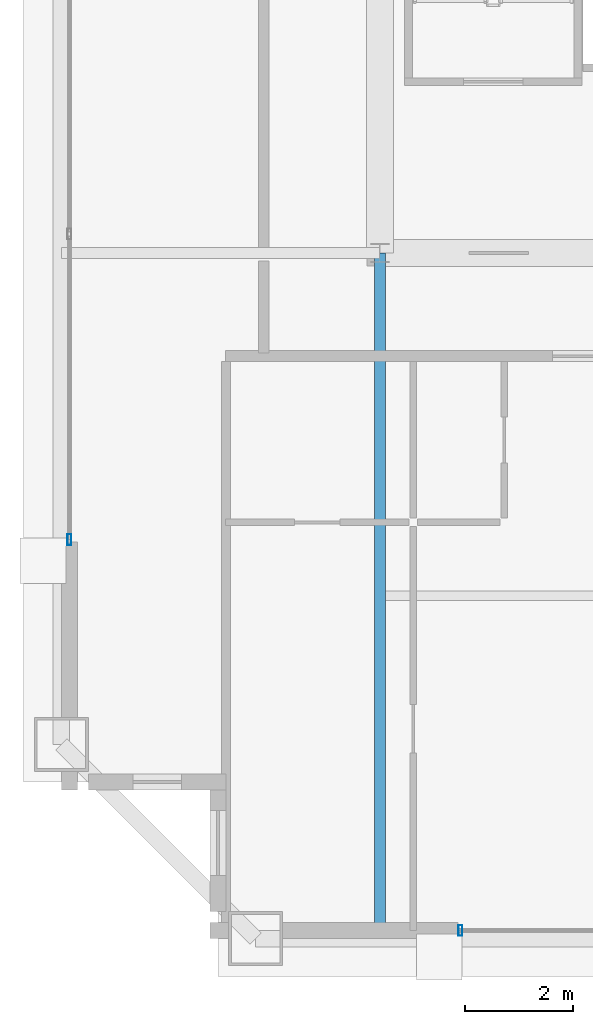
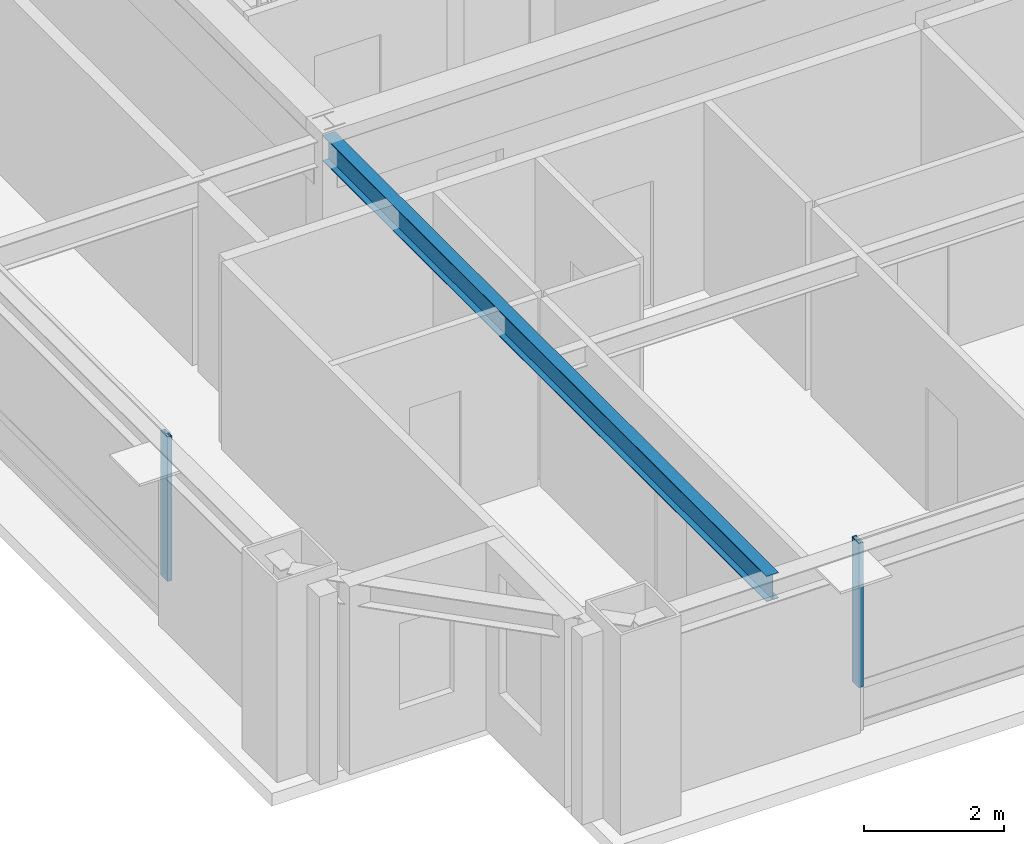
# One storey, part 4 of 35: 2 members, 1 beam, 2 elements without a shape of their own.
"""IFC4 building model written with IfcOpenShell, lengths in metres."""

from ifc_helpers import new_model, si_unit, direction, frame, origin, origin_2d, place, context, subcontext, project, spatial, hollow_rectangle, i_section, extrude, source, transform, mapped, material, layer, layer_set, material_profile, profile_set, type_object, element, aggregate, save


model = new_model("IFC4")

# Units and contexts
model_context = context("Model", 3, precision=1e-05, world=origin(), true_north=direction((0.0, 1.0)))
body_context = subcontext(model_context, "Body", "Model", "MODEL_VIEW")
ifc_project = project(units=[si_unit("LENGTHUNIT", "METRE"), si_unit("AREAUNIT", "SQUARE_METRE"), si_unit("VOLUMEUNIT", "CUBIC_METRE"), si_unit("PLANEANGLEUNIT", "RADIAN"), si_unit("MASSUNIT", "GRAM", prefix="KILO"), si_unit("THERMODYNAMICTEMPERATUREUNIT", "KELVIN"), si_unit("POWERUNIT", "WATT")], contexts=[model_context])

# Site, building, storey
site_placement = place(None, origin())
site = spatial("IfcSite", under=ifc_project, at=site_placement, CompositionType="ELEMENT")
building_placement = place(site_placement, origin())
building = spatial("IfcBuilding", under=site, at=building_placement, Name="Yuzanri Waterfront Tower", CompositionType="ELEMENT")
storey_placement = place(building_placement, frame((0.0, 0.0, 332.199951171875)))
storey = spatial("IfcBuildingStorey", under=building, at=storey_placement, Name="L89", CompositionType="ELEMENT", Elevation=332.199951171875)

# Beam
ifc_material_1 = material(Name="Steel Q355B", Category="steel")
ifc_material_profile_1 = material_profile(ifc_material_1, i_section(OverallWidth=0.199951171875, OverallDepth=0.449951171875, WebThickness=0.009033203125, FlangeThickness=0.013916015625, at=origin_2d()), Name="HN 450x200x9x14")
ifc_profile_set_1 = profile_set([ifc_material_profile_1], Name="Steel Q355B")
beam_type = type_object("IfcBeamType", Name="Secondary Floor Beam Q355B HN 450x200", PredefinedType="BEAM", material=ifc_profile_set_1)
shared_shape_1 = source(origin(), body_context, "Body", "SweptSolid", [
    extrude(i_section(OverallWidth=0.199951171875, OverallDepth=0.449951171875, WebThickness=0.009033203125, FlangeThickness=0.013916015625, at=origin_2d()), origin(), (0.0, 0.0, 1.0), 12.699951171875),
])
beam_placement = place(storey_placement, frame((23.800048828125, 19.39990234375, 3.054931640625), z_axis=(0.0, -1.0, 0.0), x_axis=(1.0, 0.0, 0.0)))
element("IfcBeam", 1, at=beam_placement, inside=storey, type_object=beam_type, Name="L89 South-West Core Line Beam", PredefinedType="BEAM", context=body_context, shape_type="MappedRepresentation", body=[
    mapped(shared_shape_1, transform((0.0, 0.0, 0.0), scale=1.0)),
])

# Curtain wall, member
ifc_material_2 = material(Name="Anodized Architectural Bronze", Category="metal")
ifc_layer = layer(ifc_material_2, 0.159912109375)
ifc_layer_set = layer_set([ifc_layer], Name="Anodized Architectural Bronze")
curtain_wall_type = type_object("IfcCurtainWallType", Name="Anodized Bronze High-Rise Penthouse High-Wind Unitized Curtain Wall 6900", PredefinedType="NOTDEFINED", material=ifc_layer_set)
curtain_wall_1_placement = place(storey_placement, origin())
curtain_wall_1 = element("IfcCurtainWall", 2, at=curtain_wall_1_placement, inside=storey, type_object=curtain_wall_type, Name="L89 Curtain Wall CW-L89-SL", PredefinedType="NOTDEFINED")
ifc_material_3 = material(Name="Anodized Architectural Bronze", Category="metal")
ifc_material_profile_2 = material_profile(ifc_material_3, hollow_rectangle(XDim=0.074951171875, YDim=0.199951171875, WallThickness=0.00390625, at=origin_2d()), Name="CWM 75x200")
ifc_profile_set_2 = profile_set([ifc_material_profile_2], Name="Anodized Architectural Bronze")
member_type = type_object("IfcMemberType", Name="Anodized Bronze Primary Curtain-Wall Mullion 75x200", PredefinedType="MULLION", material=ifc_profile_set_2)
shared_shape_2 = source(origin(), body_context, "Body", "SweptSolid", [
    extrude(hollow_rectangle(XDim=0.074951171875, YDim=0.199951171875, WallThickness=0.00390625, at=origin_2d()), origin(), (0.0, 0.0, 1.0), 2.52392578125),
])
member_1_placement = place(storey_placement, frame((25.2900390625, 6.85009765625, 0.756103515625), z_axis=(0.0, 0.0, 1.0), x_axis=(1.0, 0.0, 0.0)))
member_1 = element("IfcMember", 3, at=member_1_placement, type_object=member_type, Name="CW-L89-SL Upper Mullion 00", PredefinedType="MULLION", context=body_context, shape_type="MappedRepresentation", body=[
    mapped(shared_shape_2, transform((0.0, 0.0, 0.0), scale=1.0)),
])
aggregate(curtain_wall_1, [member_1])

curtain_wall_2_placement = place(storey_placement, origin())
curtain_wall_2 = element("IfcCurtainWall", 4, at=curtain_wall_2_placement, inside=storey, type_object=curtain_wall_type, Name="L89 Curtain Wall CW-L89-WL", PredefinedType="NOTDEFINED")
member_2_placement = place(storey_placement, frame((18.050048828125, 14.090087890625, 0.756103515625), z_axis=(0.0, 0.0, 1.0), x_axis=(1.0, 0.0, 0.0)))
member_2 = element("IfcMember", 5, at=member_2_placement, type_object=member_type, Name="CW-L89-WL Upper Mullion 00", PredefinedType="MULLION", context=body_context, shape_type="MappedRepresentation", body=[
    mapped(shared_shape_2, transform((0.0, 0.0, 0.0), scale=1.0)),
])
aggregate(curtain_wall_2, [member_2])

save(model, "model.ifc")
